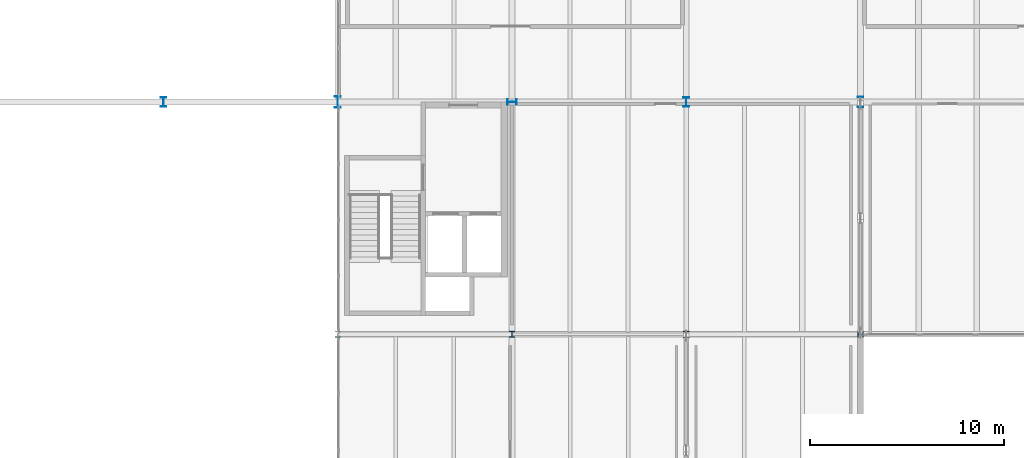
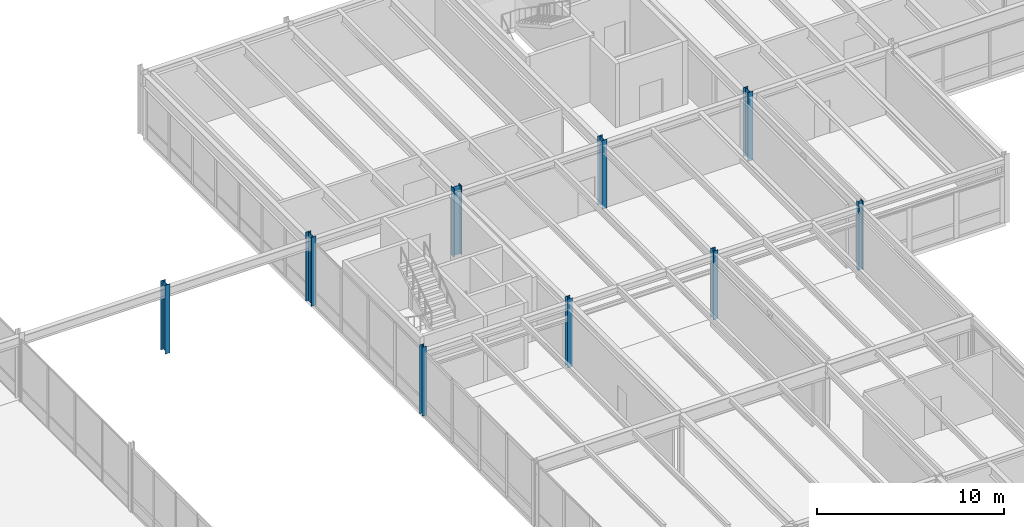
# One storey, part 12 of 115: 9 columns.
"""IFC4 building model written with IfcOpenShell, lengths in metres."""

from ifc_helpers import new_model, si_unit, direction, frame, origin, origin_2d, place, context, subcontext, project, spatial, i_section, extrude, material, material_profile, profile_set, type_object, element, save


model = new_model("IFC4")

# Units and contexts
model_context = context("Model", 3, precision=1e-05, world=origin(), true_north=direction((0.0, 1.0)))
body_context = subcontext(model_context, "Body", "Model", "MODEL_VIEW")
ifc_project = project(units=[si_unit("LENGTHUNIT", "METRE"), si_unit("AREAUNIT", "SQUARE_METRE"), si_unit("VOLUMEUNIT", "CUBIC_METRE"), si_unit("PLANEANGLEUNIT", "RADIAN"), si_unit("MASSUNIT", "GRAM", prefix="KILO")], contexts=[model_context])

# Site, building, storey
site_placement = place(None, origin())
site = spatial("IfcSite", under=ifc_project, at=site_placement, CompositionType="ELEMENT")
building_placement = place(site_placement, origin())
building = spatial("IfcBuilding", under=site, at=building_placement, Name="Montelvaro Courts of Justice", CompositionType="ELEMENT")
storey_placement = place(building_placement, frame((0.0, 0.0, 9.89990234375)))
storey = spatial("IfcBuildingStorey", under=building, at=storey_placement, Name="L02", CompositionType="ELEMENT", Elevation=9.89990234375)

# Columns
ifc_material = material(Name="Steel S355", Category="steel")
ifc_material_profile_1 = material_profile(ifc_material, i_section(OverallWidth=0.280029296875, OverallDepth=0.280029296875, WebThickness=0.010498046875, FlangeThickness=0.01806640625, at=origin_2d()), Name="HEB 280")
ifc_profile_set_1 = profile_set([ifc_material_profile_1], Name="Steel S355")
column_type_1 = type_object("IfcColumnType", Name="Col_HEB280", PredefinedType="COLUMN", material=ifc_profile_set_1)
for number, where, z_axis, x_axis, name in (
    (1, (99.0, 66.0, 0.0), (0.0, 0.0, 1.0), (1.0, 0.0, 0.0), "Column C-02 L02 12/F"),
    (2, (126.0, 66.0, 0.0), (0.0, 0.0, 1.0), (0.0, 1.0, 0.0), "Column C-02 L02 15/F"),
):
    element("IfcColumn", number, at=place(storey_placement, frame(where, z_axis=z_axis, x_axis=x_axis)), inside=storey, type_object=column_type_1, Name=name, PredefinedType="COLUMN", context=body_context, shape_type="SweptSolid", body=[
        extrude(i_section(OverallWidth=0.280029296875, OverallDepth=0.280029296875, WebThickness=0.010498046875, FlangeThickness=0.01806640625, at=origin_2d()), origin(), (0.0, 0.0, 1.0), 4.5),
    ])
ifc_material_profile_2 = material_profile(ifc_material, i_section(OverallWidth=0.300048828125, OverallDepth=0.300048828125, WebThickness=0.010986328125, FlangeThickness=0.01904296875, at=origin_2d()), Name="HEB 300")
ifc_profile_set_2 = profile_set([ifc_material_profile_2], Name="Steel S355")
column_type_2 = type_object("IfcColumnType", Name="Col_HEB300", PredefinedType="COLUMN", material=ifc_profile_set_2)
column_1_placement = place(storey_placement, frame((108.0, 66.0, 0.0), z_axis=(0.0, 0.0, 1.0), x_axis=(1.0, 0.0, 0.0)))
element("IfcColumn", 3, at=column_1_placement, inside=storey, type_object=column_type_2, Name="Column C-03 L02 13/F", PredefinedType="COLUMN", context=body_context, shape_type="SweptSolid", body=[
    extrude(i_section(OverallWidth=0.300048828125, OverallDepth=0.300048828125, WebThickness=0.010986328125, FlangeThickness=0.01904296875, at=origin_2d()), origin(), (0.0, 0.0, 1.0), 4.5),
])
ifc_material_profile_3 = material_profile(ifc_material, i_section(OverallWidth=0.300048828125, OverallDepth=0.320068359375, WebThickness=0.011474609375, FlangeThickness=0.0205078125, at=origin_2d()), Name="HEB 320")
ifc_profile_set_3 = profile_set([ifc_material_profile_3], Name="Steel S355")
column_type_3 = type_object("IfcColumnType", Name="Col_HEB320", PredefinedType="COLUMN", material=ifc_profile_set_3)
column_2_placement = place(storey_placement, frame((117.0, 66.0, 0.0), z_axis=(0.0, 0.0, 1.0), x_axis=(1.0, 0.0, 0.0)))
element("IfcColumn", 4, at=column_2_placement, inside=storey, type_object=column_type_3, Name="Column C-04 L02 14/F", PredefinedType="COLUMN", context=body_context, shape_type="SweptSolid", body=[
    extrude(i_section(OverallWidth=0.300048828125, OverallDepth=0.320068359375, WebThickness=0.011474609375, FlangeThickness=0.0205078125, at=origin_2d()), origin(), (0.0, 0.0, 1.0), 4.5),
])
ifc_material_profile_4 = material_profile(ifc_material, i_section(OverallWidth=0.300048828125, OverallDepth=0.5, WebThickness=0.014404296875, FlangeThickness=0.028076171875, at=origin_2d()), Name="HEB 500")
ifc_profile_set_4 = profile_set([ifc_material_profile_4], Name="Steel S355")
column_type_4 = type_object("IfcColumnType", Name="Col_HEB500", PredefinedType="COLUMN", material=ifc_profile_set_4)
for number, where, z_axis, x_axis, name in (
    (5, (90.0, 78.0, 0.0), (0.0, 0.0, 1.0), (1.0, 0.0, 0.0), "Column C-09 L02 11/G"),
    (6, (108.0, 78.0, 0.0), (0.0, 0.0, 1.0), (0.0, 1.0, 0.0), "Column C-09 L02 13/G"),
    (7, (117.0, 78.0, 0.0), (0.0, 0.0, 1.0), (1.0, 0.0, 0.0), "Column C-09 L02 14/G"),
):
    element("IfcColumn", number, at=place(storey_placement, frame(where, z_axis=z_axis, x_axis=x_axis)), inside=storey, type_object=column_type_4, Name=name, PredefinedType="COLUMN", context=body_context, shape_type="SweptSolid", body=[
        extrude(i_section(OverallWidth=0.300048828125, OverallDepth=0.5, WebThickness=0.014404296875, FlangeThickness=0.028076171875, at=origin_2d()), origin(), (0.0, 0.0, 1.0), 4.5),
    ])
ifc_material_profile_5 = material_profile(ifc_material, i_section(OverallWidth=0.300048828125, OverallDepth=0.550048828125, WebThickness=0.014892578125, FlangeThickness=0.029052734375, at=origin_2d()), Name="HEB 550")
ifc_profile_set_5 = profile_set([ifc_material_profile_5], Name="Steel S355")
column_type_5 = type_object("IfcColumnType", Name="Col_HEB550", PredefinedType="COLUMN", material=ifc_profile_set_5)
column_3_placement = place(storey_placement, frame((126.0, 78.0, 0.0), z_axis=(0.0, 0.0, 1.0), x_axis=(1.0, 0.0, 0.0)))
element("IfcColumn", 8, at=column_3_placement, inside=storey, type_object=column_type_5, Name="Column C-10 L02 15/G", PredefinedType="COLUMN", context=body_context, shape_type="SweptSolid", body=[
    extrude(i_section(OverallWidth=0.300048828125, OverallDepth=0.550048828125, WebThickness=0.014892578125, FlangeThickness=0.029052734375, at=origin_2d()), origin(), (0.0, 0.0, 1.0), 4.5),
])
ifc_material_profile_6 = material_profile(ifc_material, i_section(OverallWidth=0.300048828125, OverallDepth=0.60009765625, WebThickness=0.015380859375, FlangeThickness=0.030029296875, at=origin_2d()), Name="HEB 600")
ifc_profile_set_6 = profile_set([ifc_material_profile_6], Name="Steel S355")
column_type_6 = type_object("IfcColumnType", Name="Col_HEB600", PredefinedType="COLUMN", material=ifc_profile_set_6)
column_4_placement = place(storey_placement, frame((99.0, 78.0, 0.0), z_axis=(0.0, 0.0, 1.0), x_axis=(1.0, 0.0, 0.0)))
element("IfcColumn", 9, at=column_4_placement, inside=storey, type_object=column_type_6, Name="Column C-11 L02 12/G", PredefinedType="COLUMN", context=body_context, shape_type="SweptSolid", body=[
    extrude(i_section(OverallWidth=0.300048828125, OverallDepth=0.60009765625, WebThickness=0.015380859375, FlangeThickness=0.030029296875, at=origin_2d()), origin(), (0.0, 0.0, 1.0), 4.5),
])

save(model, "model.ifc")
